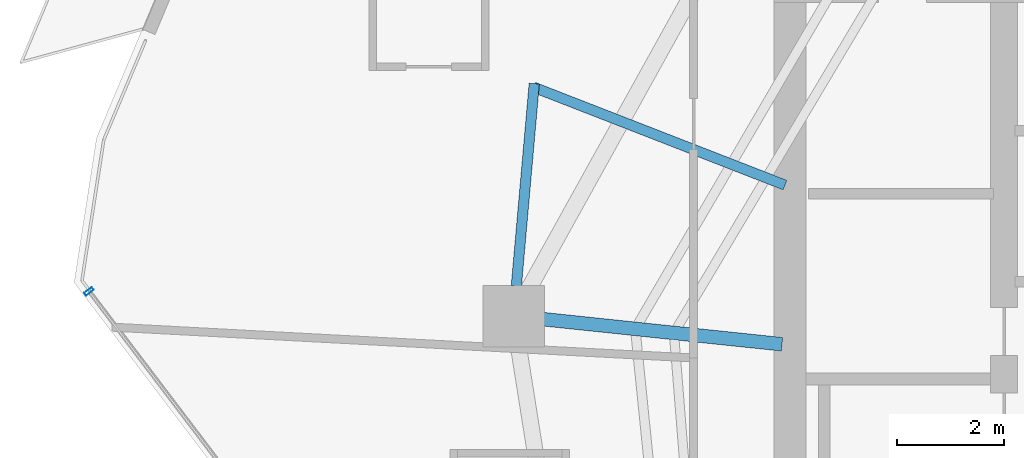
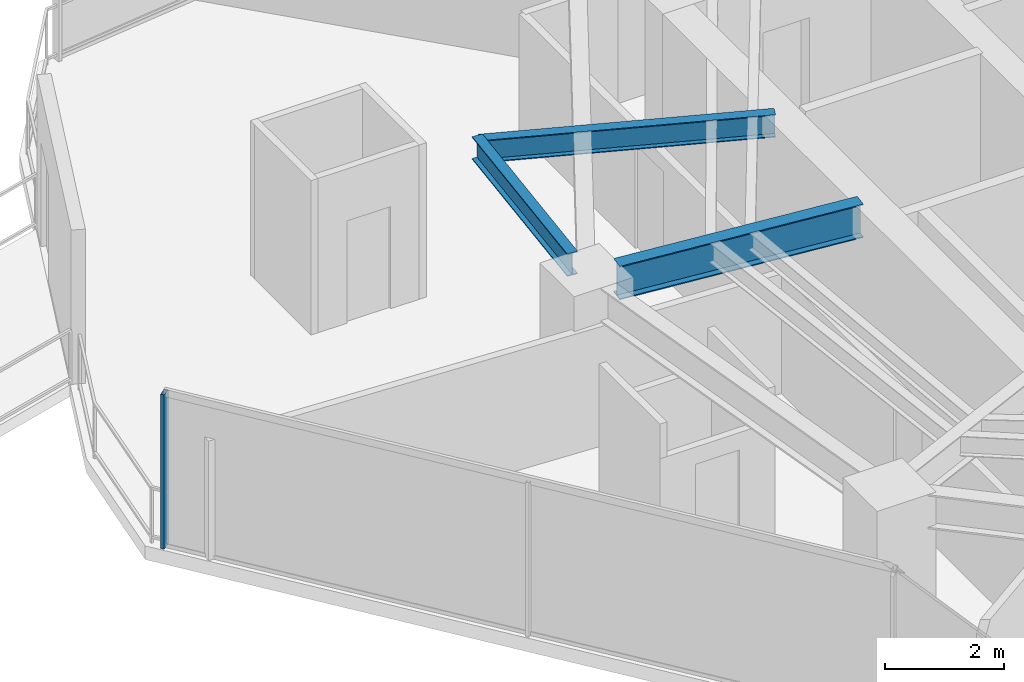
# One storey, part 9 of 30: 3 beams, 1 member, 1 element without a shape of its own.
"""IFC4 building model written with IfcOpenShell, lengths in metres."""

from ifc_helpers import new_model, si_unit, direction, frame, origin, origin_2d, place, context, subcontext, project, spatial, hollow_rectangle, i_section, extrude, material, layer, layer_set, material_profile, profile_set, type_object, element, aggregate, save


model = new_model("IFC4")

# Units and contexts
model_context = context("Model", 3, precision=1e-05, world=origin(), true_north=direction((0.0, 1.0)))
body_context = subcontext(model_context, "Body", "Model", "MODEL_VIEW")
ifc_project = project(units=[si_unit("LENGTHUNIT", "METRE"), si_unit("AREAUNIT", "SQUARE_METRE"), si_unit("VOLUMEUNIT", "CUBIC_METRE"), si_unit("PLANEANGLEUNIT", "RADIAN"), si_unit("MASSUNIT", "GRAM", prefix="KILO")], contexts=[model_context])

# Site, building, storey
site_placement = place(None, origin())
site = spatial("IfcSite", under=ifc_project, at=site_placement, CompositionType="ELEMENT")
building_placement = place(site_placement, origin())
building = spatial("IfcBuilding", under=site, at=building_placement, Name="Qarnah Convention Tower", CompositionType="ELEMENT")
storey_placement = place(building_placement, frame((0.0, 0.0, 93.60009765625)))
storey = spatial("IfcBuildingStorey", under=building, at=storey_placement, Name="L24", CompositionType="ELEMENT", Elevation=93.60009765625)

# Beams
ifc_material_1 = material(Name="Structural steel S355JR", Category="steel")
ifc_material_profile_1 = material_profile(ifc_material_1, i_section(OverallWidth=0.19189453125, OverallDepth=0.464111328125, WebThickness=0.010986328125, FlangeThickness=0.01806640625, at=origin_2d()), Name="W460X89")
ifc_profile_set_1 = profile_set([ifc_material_profile_1], Name="Structural steel S355JR")
beam_type_1 = type_object("IfcBeamType", Name="BM-CANT-W460A", PredefinedType="BEAM", material=ifc_profile_set_1)
beam_1_placement = place(storey_placement, frame((26.70703125, 30.48291015625, 2.93798828125), z_axis=(-0.93184170275, 0.362865045183, 0.0), x_axis=(-0.362865045183, -0.93184170275, 0.0)))
element("IfcBeam", 1, at=beam_1_placement, inside=storey, type_object=beam_type_1, Name="L24 beam BM-L24-CNT-02-1", PredefinedType="BEAM", context=body_context, shape_type="SweptSolid", body=[
    extrude(i_section(OverallWidth=0.19189453125, OverallDepth=0.464111328125, WebThickness=0.010986328125, FlangeThickness=0.01806640625, at=origin_2d()), origin(), (0.0, 0.0, 1.0), 5.035400390625),
])
beam_2_placement = place(storey_placement, frame((22.02099609375, 32.3798828125, 2.93798828125), z_axis=(-0.088250477094, -0.996098315074, 0.0), x_axis=(0.996098315074, -0.088250477094, 0.0)))
element("IfcBeam", 2, at=beam_2_placement, inside=storey, type_object=beam_type_1, Name="L24 spandrel BM-L24-CTIE-02", PredefinedType="SPANDREL", context=body_context, shape_type="SweptSolid", body=[
    extrude(i_section(OverallWidth=0.19189453125, OverallDepth=0.464111328125, WebThickness=0.010986328125, FlangeThickness=0.01806640625, at=origin_2d()), origin(), (0.0, 0.0, 1.0), 3.795654296875),
])
ifc_material_profile_2 = material_profile(ifc_material_1, i_section(OverallWidth=0.25390625, OverallDepth=0.68798828125, WebThickness=0.012939453125, FlangeThickness=0.02099609375, at=origin_2d()), Name="W690X152")
ifc_profile_set_2 = profile_set([ifc_material_profile_2], Name="Structural steel S355JR")
beam_type_2 = type_object("IfcBeamType", Name="BM-RAD-W690", PredefinedType="BEAM", material=ifc_profile_set_2)
beam_3_placement = place(storey_placement, frame((26.65087890625, 27.509033203125, 2.825927734375), z_axis=(-0.994523622606, 0.104512028393, 0.0), x_axis=(-0.104512028393, -0.994523622606, 0.0)))
element("IfcBeam", 3, at=beam_3_placement, inside=storey, type_object=beam_type_2, Name="L24 beam BM-L24-RAD-05", PredefinedType="BEAM", context=body_context, shape_type="SweptSolid", body=[
    extrude(i_section(OverallWidth=0.25390625, OverallDepth=0.68798828125, WebThickness=0.012939453125, FlangeThickness=0.02099609375, at=origin_2d()), origin(), (0.0, 0.0, 1.0), 4.487548828125),
])

# Curtain wall, member
ifc_material_2 = material(Name="Tempered Low-E dark glass", Category="glass")
ifc_layer = layer(ifc_material_2, 0.169921875)
ifc_layer_set = layer_set([ifc_layer], Name="Tempered Low-E dark glass")
curtain_wall_type = type_object("IfcCurtainWallType", Name="CWS-02", PredefinedType="NOTDEFINED", material=ifc_layer_set)
curtain_wall_placement = place(storey_placement, origin())
curtain_wall = element("IfcCurtainWall", 4, at=curtain_wall_placement, inside=storey, type_object=curtain_wall_type, Name="L24 unitised curtain wall CW-L24-F2", PredefinedType="NOTDEFINED")
ifc_material_3 = material(Name="Black anodised aluminium", Category="aluminium")
ifc_material_profile_3 = material_profile(ifc_material_3, hollow_rectangle(XDim=0.06494140625, YDim=0.179931640625, WallThickness=0.00390625, at=origin_2d()), Name="MUL-65X180")
ifc_profile_set_3 = profile_set([ifc_material_profile_3], Name="Black anodised aluminium")
member_type = type_object("IfcMemberType", Name="MUL-T2", PredefinedType="MULLION", material=ifc_profile_set_3)
member_placement = place(storey_placement, frame((13.699951171875, 28.4970703125, 0.0), z_axis=(0.0, 0.0, 1.0), x_axis=(-0.604606608051, 0.796524230329, 0.0)))
member = element("IfcMember", 5, at=member_placement, type_object=member_type, Name="CW-L24-F2 mullion 6", PredefinedType="MULLION", context=body_context, shape_type="SweptSolid", body=[
    extrude(hollow_rectangle(XDim=0.06494140625, YDim=0.179931640625, WallThickness=0.00390625, at=origin_2d()), origin(), (0.0, 0.0, 1.0), 3.169921875),
])
aggregate(curtain_wall, [member])

save(model, "model.ifc")
